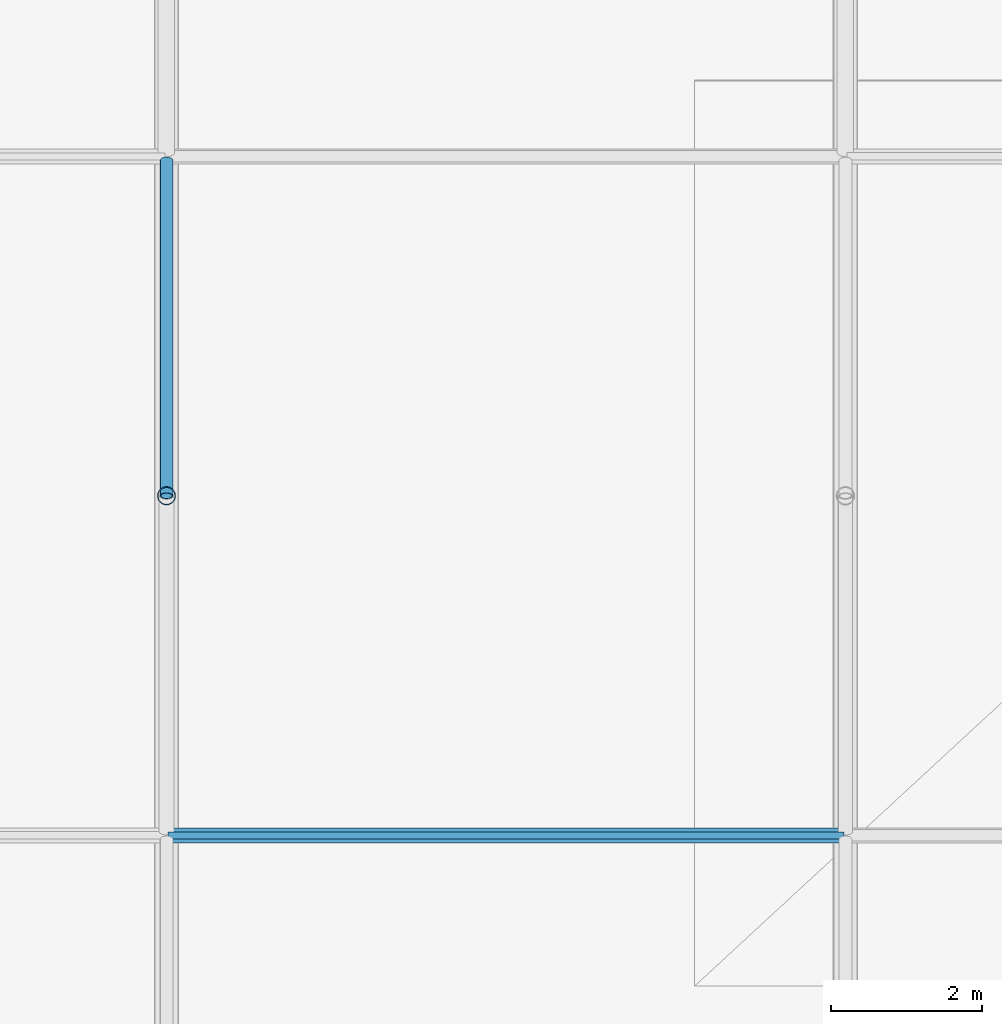
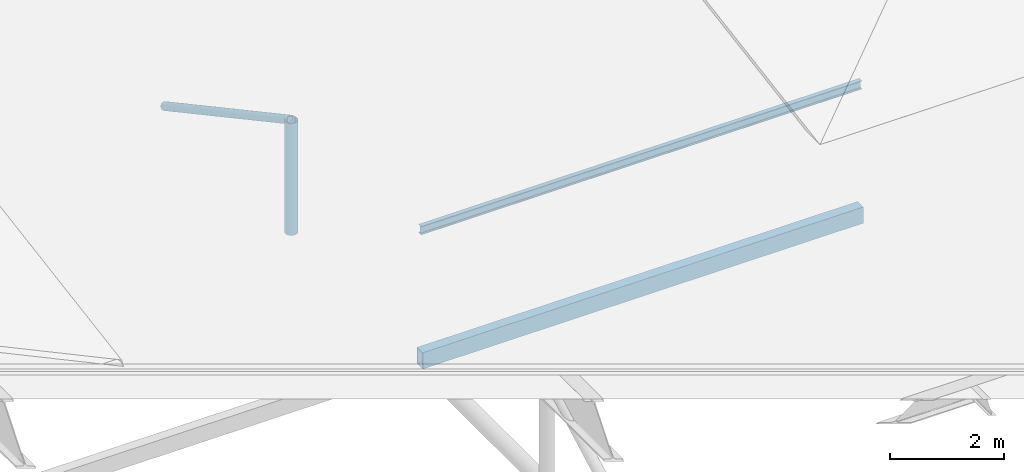
# One storey, part 73 of 196: 4 members.
"""IFC4 building model written with IfcOpenShell, lengths in metres."""

from ifc_helpers import new_model, si_unit, direction, frame, origin, origin_2d, place, context, subcontext, project, spatial, hollow_rectangle, hollow_circle, i_section, extrude, material, material_profile, profile_set, type_object, element, save


model = new_model("IFC4")

# Units and contexts
model_context = context("Model", 3, precision=1e-05, world=origin(), true_north=direction((0.0, 1.0)))
body_context = subcontext(model_context, "Body", "Model", "MODEL_VIEW")
ifc_project = project(units=[si_unit("LENGTHUNIT", "METRE"), si_unit("AREAUNIT", "SQUARE_METRE"), si_unit("VOLUMEUNIT", "CUBIC_METRE"), si_unit("PLANEANGLEUNIT", "RADIAN"), si_unit("MASSUNIT", "GRAM", prefix="KILO")], contexts=[model_context])

# Site, building, storey
site_placement = place(None, origin())
site = spatial("IfcSite", under=ifc_project, at=site_placement, CompositionType="ELEMENT")
building_placement = place(site_placement, origin())
building = spatial("IfcBuilding", under=site, at=building_placement, Name="Barlavento Convention Centre", CompositionType="ELEMENT")
storey_placement = place(building_placement, frame((0.0, 0.0, 18.0)))
storey = spatial("IfcBuildingStorey", under=building, at=storey_placement, Name="L03", CompositionType="ELEMENT", Elevation=18.0)

# Members
ifc_material = material(Name="Steel S355", Category="steel")
ifc_material_profile_1 = material_profile(ifc_material, hollow_rectangle(XDim=0.199951171875, YDim=0.35009765625, WallThickness=0.012451171875, at=origin_2d()), Name="RHS 350x200x12.5")
ifc_profile_set_1 = profile_set([ifc_material_profile_1], Name="Steel S355")
member_type_1 = type_object("IfcMemberType", Name="STR-MEM-COL-RHS350", PredefinedType="COLLAR", material=ifc_profile_set_1)
member_1_placement = place(storey_placement, frame((90.02001953125, 72.0, -3.199951171875), z_axis=(1.0, 0.0, 0.0), x_axis=(0.0, 1.0, 0.0)))
element("IfcMember", 1, at=member_1_placement, inside=storey, type_object=member_type_1, Name="Exhibition space frame transverse chord", PredefinedType="COLLAR", context=body_context, shape_type="SweptSolid", body=[
    extrude(hollow_rectangle(XDim=0.199951171875, YDim=0.35009765625, WallThickness=0.012451171875, at=origin_2d()), origin(), (0.0, 0.0, 1.0), 8.9599609375),
])
ifc_material_profile_2 = material_profile(ifc_material, hollow_circle(Radius=0.084228515625, WallThickness=0.010009765625, at=origin_2d()), Name="CHS 168.3x10.0")
ifc_profile_set_2 = profile_set([ifc_material_profile_2], Name="Steel S355")
member_type_2 = type_object("IfcMemberType", Name="STR-MEM-DIAG-CHS168", PredefinedType="POST", material=ifc_profile_set_2)
member_2_placement = place(storey_placement, frame((90.0, 76.5, -0.794921875), z_axis=(0.0, 0.879735433057, -0.475463529437), x_axis=(-1.0, 0.0, 0.0)))
element("IfcMember", 2, at=member_2_placement, inside=storey, type_object=member_type_2, Name="Exhibition space frame web diagonal", PredefinedType="POST", context=body_context, shape_type="SweptSolid", body=[
    extrude(hollow_circle(Radius=0.084228515625, WallThickness=0.010009765625, at=origin_2d()), origin(), (0.0, 0.0, 1.0), 5.058349609375),
])
ifc_material_profile_3 = material_profile(ifc_material, i_section(OverallWidth=0.091064453125, OverallDepth=0.179931640625, WebThickness=0.00537109375, FlangeThickness=0.008056640625, FilletRadius=0.009033203125, at=origin_2d()), Name="IPE 180")
ifc_profile_set_3 = profile_set([ifc_material_profile_3], Name="Steel S355")
member_type_3 = type_object("IfcMemberType", Name="STR-MEM-PUR-IPE180", PredefinedType="PURLIN", material=ifc_profile_set_3)
member_3_placement = place(storey_placement, frame((90.02001953125, 72.0, -0.43505859375), z_axis=(1.0, 0.0, 0.0), x_axis=(0.0, 1.0, 0.0)))
element("IfcMember", 3, at=member_3_placement, inside=storey, type_object=member_type_3, Name="Exhibition roof purlin", PredefinedType="PURLIN", context=body_context, shape_type="SweptSolid", body=[
    extrude(i_section(OverallWidth=0.091064453125, OverallDepth=0.179931640625, WebThickness=0.00537109375, FlangeThickness=0.008056640625, FilletRadius=0.009033203125, at=origin_2d()), origin(), (0.0, 0.0, 1.0), 8.9599609375),
])
ifc_material_profile_4 = material_profile(ifc_material, hollow_circle(Radius=0.122314453125, WallThickness=0.012451171875, at=origin_2d()), Name="CHS 244.5x12.5")
ifc_profile_set_4 = profile_set([ifc_material_profile_4], Name="Steel S355")
member_type_4 = type_object("IfcMemberType", Name="STR-MEM-STRUT-CHS244", PredefinedType="STRUT", material=ifc_profile_set_4)
member_4_placement = place(storey_placement, frame((90.0, 76.5, -3.199951171875), z_axis=(0.0, 0.0, 1.0), x_axis=(1.0, 0.0, 0.0)))
element("IfcMember", 4, at=member_4_placement, inside=storey, type_object=member_type_4, Name="Exhibition space frame vertical strut", PredefinedType="STRUT", context=body_context, shape_type="SweptSolid", body=[
    extrude(hollow_circle(Radius=0.122314453125, WallThickness=0.012451171875, at=origin_2d()), origin(), (0.0, 0.0, 1.0), 2.405029296875),
])

save(model, "model.ifc")
